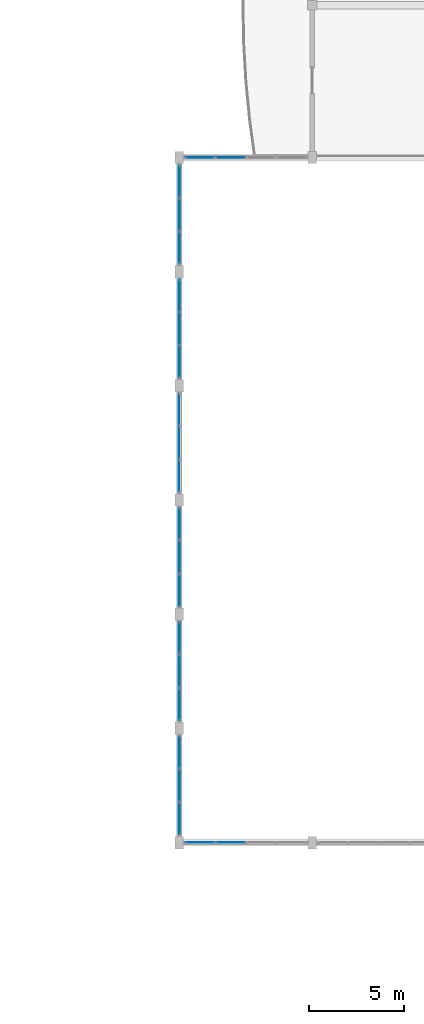
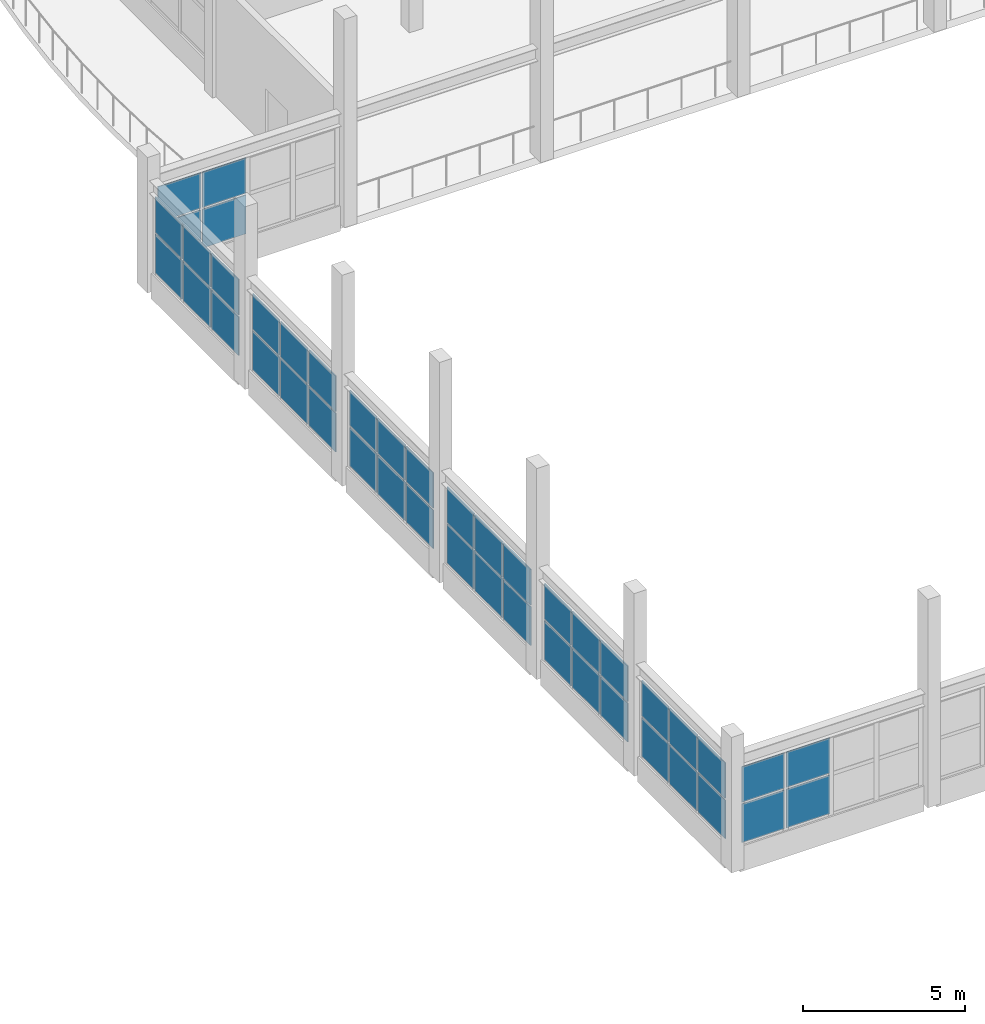
# One storey, part 46 of 89: 44 plates, 8 elements without a shape of their own.
"""IFC4 building model written with IfcOpenShell, lengths in metres."""

from ifc_helpers import new_model, si_unit, direction, frame, origin, origin_2d, place, context, subcontext, project, spatial, rectangle, extrude, material, layer, layer_set, type_object, element, aggregate, save


model = new_model("IFC4")

# Units and contexts
model_context = context("Model", 3, precision=1e-05, world=origin(), true_north=direction((0.0, 1.0)))
body_context = subcontext(model_context, "Body", "Model", "MODEL_VIEW")
ifc_project = project(units=[si_unit("LENGTHUNIT", "METRE"), si_unit("AREAUNIT", "SQUARE_METRE"), si_unit("VOLUMEUNIT", "CUBIC_METRE"), si_unit("PLANEANGLEUNIT", "RADIAN"), si_unit("MASSUNIT", "GRAM", prefix="KILO")], contexts=[model_context])

# Site, building, storey
site_placement = place(None, origin())
site = spatial("IfcSite", under=ifc_project, at=site_placement, CompositionType="ELEMENT")
building_placement = place(site_placement, origin())
building = spatial("IfcBuilding", under=site, at=building_placement, Name="Tonlespit Floodbar School", CompositionType="ELEMENT")
storey_placement = place(building_placement, frame((0.0, 0.0, 4.5)))
storey = spatial("IfcBuildingStorey", under=building, at=storey_placement, Name="L01", CompositionType="ELEMENT", Elevation=4.5)

# Curtain wall, plates
ifc_material_1 = material(Name="Anodised Aluminium", Category="aluminium")
ifc_layer_1 = layer(ifc_material_1, 0.159912109375)
ifc_layer_set_1 = layer_set([ifc_layer_1], Name="Anodised Aluminium")
curtain_wall_type_1 = type_object("IfcCurtainWallType", Name="CurtainWall_6450x3000", PredefinedType="NOTDEFINED", material=ifc_layer_set_1)
curtain_wall_1_placement = place(storey_placement, origin())
curtain_wall_1 = element("IfcCurtainWall", 1, at=curtain_wall_1_placement, inside=storey, type_object=curtain_wall_type_1, Name="L01 unitised curtain wall 0317", PredefinedType="NOTDEFINED")
ifc_material_2 = material(Name="Laminated Low-E Glass", Category="glass")
ifc_layer_2 = layer(ifc_material_2, 0.028076171875)
ifc_layer_set_2 = layer_set([ifc_layer_2], Name="Laminated Low-E Glass")
plate_type_1 = type_object("IfcPlateType", Name="CW_Panel_Glaz_28", PredefinedType="CURTAIN_PANEL", material=ifc_layer_set_2)
plate_1_placement = place(storey_placement, frame((129.691162109375, 20.0, 0.7548828125), z_axis=(0.0, 0.0, 1.0), x_axis=(-1.0, 0.0, 0.0)))
plate_1 = element("IfcPlate", 2, at=plate_1_placement, type_object=plate_type_1, Name="CW-49 panel 3.1", PredefinedType="CURTAIN_PANEL", context=body_context, shape_type="SweptSolid", body=[
    extrude(rectangle(XDim=1.552490234375, YDim=0.028076171875, at=origin_2d()), origin(), (0.0, 0.0, 1.0), 1.457275390625),
])
plate_2_placement = place(storey_placement, frame((129.691162109375, 20.0, 2.27734375), z_axis=(0.0, 0.0, 1.0), x_axis=(-1.0, 0.0, 0.0)))
plate_2 = element("IfcPlate", 3, at=plate_2_placement, type_object=plate_type_1, Name="CW-49 panel 3.2", PredefinedType="CURTAIN_PANEL", context=body_context, shape_type="SweptSolid", body=[
    extrude(rectangle(XDim=1.552490234375, YDim=0.028076171875, at=origin_2d()), origin(), (0.0, 0.0, 1.0), 1.337646484375),
])
plate_3_placement = place(storey_placement, frame((128.090087890625, 20.0, 0.7548828125), z_axis=(0.0, 0.0, 1.0), x_axis=(-1.0, 0.0, 0.0)))
plate_3 = element("IfcPlate", 4, at=plate_3_placement, type_object=plate_type_1, Name="CW-49 panel 4.1", PredefinedType="CURTAIN_PANEL", context=body_context, shape_type="SweptSolid", body=[
    extrude(rectangle(XDim=1.52001953125, YDim=0.028076171875, at=origin_2d()), origin(), (0.0, 0.0, 1.0), 1.457275390625),
])
plate_4_placement = place(storey_placement, frame((128.090087890625, 20.0, 2.27734375), z_axis=(0.0, 0.0, 1.0), x_axis=(-1.0, 0.0, 0.0)))
plate_4 = element("IfcPlate", 5, at=plate_4_placement, type_object=plate_type_1, Name="CW-49 panel 4.2", PredefinedType="CURTAIN_PANEL", context=body_context, shape_type="SweptSolid", body=[
    extrude(rectangle(XDim=1.52001953125, YDim=0.028076171875, at=origin_2d()), origin(), (0.0, 0.0, 1.0), 1.337646484375),
])
aggregate(curtain_wall_1, [plate_1, plate_2, plate_3, plate_4])

ifc_layer_3 = layer(ifc_material_1, 0.159912109375)
ifc_layer_set_3 = layer_set([ifc_layer_3], Name="Anodised Aluminium")
curtain_wall_type_2 = type_object("IfcCurtainWallType", Name="CurtainWall_5250x3000", PredefinedType="NOTDEFINED", material=ifc_layer_set_3)
curtain_wall_2_placement = place(storey_placement, origin())
curtain_wall_2 = element("IfcCurtainWall", 6, at=curtain_wall_2_placement, inside=storey, type_object=curtain_wall_type_2, Name="L01 unitised curtain wall 0321", PredefinedType="NOTDEFINED")
plate_5_placement = place(storey_placement, frame((127.0, 39.259521484375, 0.7548828125), z_axis=(0.0, 0.0, 1.0), x_axis=(0.0, 1.0, 0.0)))
plate_5 = element("IfcPlate", 7, at=plate_5_placement, type_object=plate_type_1, Name="CW-50 panel 1.1", PredefinedType="CURTAIN_PANEL", context=body_context, shape_type="SweptSolid", body=[
    extrude(rectangle(XDim=1.6591796875, YDim=0.028076171875, at=origin_2d()), origin(), (0.0, 0.0, 1.0), 1.457275390625),
])
plate_6_placement = place(storey_placement, frame((127.0, 39.259521484375, 2.27734375), z_axis=(0.0, 0.0, 1.0), x_axis=(0.0, 1.0, 0.0)))
plate_6 = element("IfcPlate", 8, at=plate_6_placement, type_object=plate_type_1, Name="CW-50 panel 1.2", PredefinedType="CURTAIN_PANEL", context=body_context, shape_type="SweptSolid", body=[
    extrude(rectangle(XDim=1.6591796875, YDim=0.028076171875, at=origin_2d()), origin(), (0.0, 0.0, 1.0), 1.337646484375),
])
plate_7_placement = place(storey_placement, frame((127.0, 41.0, 0.7548828125), z_axis=(0.0, 0.0, 1.0), x_axis=(0.0, 1.0, 0.0)))
plate_7 = element("IfcPlate", 9, at=plate_7_placement, type_object=plate_type_1, Name="CW-50 panel 2.1", PredefinedType="CURTAIN_PANEL", context=body_context, shape_type="SweptSolid", body=[
    extrude(rectangle(XDim=1.691650390625, YDim=0.028076171875, at=origin_2d()), origin(), (0.0, 0.0, 1.0), 1.457275390625),
])
plate_8_placement = place(storey_placement, frame((127.0, 41.0, 2.27734375), z_axis=(0.0, 0.0, 1.0), x_axis=(0.0, 1.0, 0.0)))
plate_8 = element("IfcPlate", 10, at=plate_8_placement, type_object=plate_type_1, Name="CW-50 panel 2.2", PredefinedType="CURTAIN_PANEL", context=body_context, shape_type="SweptSolid", body=[
    extrude(rectangle(XDim=1.691650390625, YDim=0.028076171875, at=origin_2d()), origin(), (0.0, 0.0, 1.0), 1.337646484375),
])
plate_9_placement = place(storey_placement, frame((127.0, 42.740478515625, 0.7548828125), z_axis=(0.0, 0.0, 1.0), x_axis=(0.0, 1.0, 0.0)))
plate_9 = element("IfcPlate", 11, at=plate_9_placement, type_object=plate_type_1, Name="CW-50 panel 3.1", PredefinedType="CURTAIN_PANEL", context=body_context, shape_type="SweptSolid", body=[
    extrude(rectangle(XDim=1.6591796875, YDim=0.028076171875, at=origin_2d()), origin(), (0.0, 0.0, 1.0), 1.457275390625),
])
plate_10_placement = place(storey_placement, frame((127.0, 42.740478515625, 2.27734375), z_axis=(0.0, 0.0, 1.0), x_axis=(0.0, 1.0, 0.0)))
plate_10 = element("IfcPlate", 12, at=plate_10_placement, type_object=plate_type_1, Name="CW-50 panel 3.2", PredefinedType="CURTAIN_PANEL", context=body_context, shape_type="SweptSolid", body=[
    extrude(rectangle(XDim=1.6591796875, YDim=0.028076171875, at=origin_2d()), origin(), (0.0, 0.0, 1.0), 1.337646484375),
])
aggregate(curtain_wall_2, [plate_5, plate_6, plate_7, plate_8, plate_9, plate_10])

curtain_wall_3_placement = place(storey_placement, origin())
curtain_wall_3 = element("IfcCurtainWall", 13, at=curtain_wall_3_placement, inside=storey, type_object=curtain_wall_type_2, Name="L01 unitised curtain wall 0318", PredefinedType="NOTDEFINED")
ifc_layer_4 = layer(ifc_material_2, 0.031982421875)
ifc_layer_set_4 = layer_set([ifc_layer_4], Name="Laminated Low-E Glass")
plate_type_2 = type_object("IfcPlateType", Name="CW_Panel_Glaz_32", PredefinedType="CURTAIN_PANEL", material=ifc_layer_set_4)
plate_11_placement = place(storey_placement, frame((127.0, 21.259521484375, 0.7548828125), z_axis=(0.0, 0.0, 1.0), x_axis=(0.0, 1.0, 0.0)))
plate_11 = element("IfcPlate", 14, at=plate_11_placement, type_object=plate_type_2, Name="CW-50 panel 1.1", PredefinedType="CURTAIN_PANEL", context=body_context, shape_type="SweptSolid", body=[
    extrude(rectangle(XDim=1.6591796875, YDim=0.031982421875, at=origin_2d()), origin(), (0.0, 0.0, 1.0), 1.457275390625),
])
plate_12_placement = place(storey_placement, frame((127.0, 21.259521484375, 2.27734375), z_axis=(0.0, 0.0, 1.0), x_axis=(0.0, 1.0, 0.0)))
plate_12 = element("IfcPlate", 15, at=plate_12_placement, type_object=plate_type_2, Name="CW-50 panel 1.2", PredefinedType="CURTAIN_PANEL", context=body_context, shape_type="SweptSolid", body=[
    extrude(rectangle(XDim=1.6591796875, YDim=0.031982421875, at=origin_2d()), origin(), (0.0, 0.0, 1.0), 1.337646484375),
])
plate_13_placement = place(storey_placement, frame((127.0, 23.0, 0.7548828125), z_axis=(0.0, 0.0, 1.0), x_axis=(0.0, 1.0, 0.0)))
plate_13 = element("IfcPlate", 16, at=plate_13_placement, type_object=plate_type_2, Name="CW-50 panel 2.1", PredefinedType="CURTAIN_PANEL", context=body_context, shape_type="SweptSolid", body=[
    extrude(rectangle(XDim=1.691650390625, YDim=0.031982421875, at=origin_2d()), origin(), (0.0, 0.0, 1.0), 1.457275390625),
])
plate_14_placement = place(storey_placement, frame((127.0, 23.0, 2.27734375), z_axis=(0.0, 0.0, 1.0), x_axis=(0.0, 1.0, 0.0)))
plate_14 = element("IfcPlate", 17, at=plate_14_placement, type_object=plate_type_2, Name="CW-50 panel 2.2", PredefinedType="CURTAIN_PANEL", context=body_context, shape_type="SweptSolid", body=[
    extrude(rectangle(XDim=1.691650390625, YDim=0.031982421875, at=origin_2d()), origin(), (0.0, 0.0, 1.0), 1.337646484375),
])
plate_15_placement = place(storey_placement, frame((127.0, 24.740478515625, 0.7548828125), z_axis=(0.0, 0.0, 1.0), x_axis=(0.0, 1.0, 0.0)))
plate_15 = element("IfcPlate", 18, at=plate_15_placement, type_object=plate_type_2, Name="CW-50 panel 3.1", PredefinedType="CURTAIN_PANEL", context=body_context, shape_type="SweptSolid", body=[
    extrude(rectangle(XDim=1.6591796875, YDim=0.031982421875, at=origin_2d()), origin(), (0.0, 0.0, 1.0), 1.457275390625),
])
plate_16_placement = place(storey_placement, frame((127.0, 24.740478515625, 2.27734375), z_axis=(0.0, 0.0, 1.0), x_axis=(0.0, 1.0, 0.0)))
plate_16 = element("IfcPlate", 19, at=plate_16_placement, type_object=plate_type_2, Name="CW-50 panel 3.2", PredefinedType="CURTAIN_PANEL", context=body_context, shape_type="SweptSolid", body=[
    extrude(rectangle(XDim=1.6591796875, YDim=0.031982421875, at=origin_2d()), origin(), (0.0, 0.0, 1.0), 1.337646484375),
])
aggregate(curtain_wall_3, [plate_11, plate_12, plate_13, plate_14, plate_15, plate_16])

curtain_wall_4_placement = place(storey_placement, origin())
curtain_wall_4 = element("IfcCurtainWall", 20, at=curtain_wall_4_placement, inside=storey, type_object=curtain_wall_type_2, Name="L01 unitised curtain wall 0322", PredefinedType="NOTDEFINED")
plate_17_placement = place(storey_placement, frame((127.0, 45.259521484375, 0.7548828125), z_axis=(0.0, 0.0, 1.0), x_axis=(0.0, 1.0, 0.0)))
plate_17 = element("IfcPlate", 21, at=plate_17_placement, type_object=plate_type_2, Name="CW-50 panel 1.1", PredefinedType="CURTAIN_PANEL", context=body_context, shape_type="SweptSolid", body=[
    extrude(rectangle(XDim=1.6591796875, YDim=0.031982421875, at=origin_2d()), origin(), (0.0, 0.0, 1.0), 1.457275390625),
])
plate_18_placement = place(storey_placement, frame((127.0, 45.259521484375, 2.27734375), z_axis=(0.0, 0.0, 1.0), x_axis=(0.0, 1.0, 0.0)))
plate_18 = element("IfcPlate", 22, at=plate_18_placement, type_object=plate_type_2, Name="CW-50 panel 1.2", PredefinedType="CURTAIN_PANEL", context=body_context, shape_type="SweptSolid", body=[
    extrude(rectangle(XDim=1.6591796875, YDim=0.031982421875, at=origin_2d()), origin(), (0.0, 0.0, 1.0), 1.337646484375),
])
plate_19_placement = place(storey_placement, frame((127.0, 47.0, 0.7548828125), z_axis=(0.0, 0.0, 1.0), x_axis=(0.0, 1.0, 0.0)))
plate_19 = element("IfcPlate", 23, at=plate_19_placement, type_object=plate_type_2, Name="CW-50 panel 2.1", PredefinedType="CURTAIN_PANEL", context=body_context, shape_type="SweptSolid", body=[
    extrude(rectangle(XDim=1.691650390625, YDim=0.031982421875, at=origin_2d()), origin(), (0.0, 0.0, 1.0), 1.457275390625),
])
plate_20_placement = place(storey_placement, frame((127.0, 47.0, 2.27734375), z_axis=(0.0, 0.0, 1.0), x_axis=(0.0, 1.0, 0.0)))
plate_20 = element("IfcPlate", 24, at=plate_20_placement, type_object=plate_type_2, Name="CW-50 panel 2.2", PredefinedType="CURTAIN_PANEL", context=body_context, shape_type="SweptSolid", body=[
    extrude(rectangle(XDim=1.691650390625, YDim=0.031982421875, at=origin_2d()), origin(), (0.0, 0.0, 1.0), 1.337646484375),
])
plate_21_placement = place(storey_placement, frame((127.0, 48.740478515625, 0.7548828125), z_axis=(0.0, 0.0, 1.0), x_axis=(0.0, 1.0, 0.0)))
plate_21 = element("IfcPlate", 25, at=plate_21_placement, type_object=plate_type_2, Name="CW-50 panel 3.1", PredefinedType="CURTAIN_PANEL", context=body_context, shape_type="SweptSolid", body=[
    extrude(rectangle(XDim=1.6591796875, YDim=0.031982421875, at=origin_2d()), origin(), (0.0, 0.0, 1.0), 1.457275390625),
])
plate_22_placement = place(storey_placement, frame((127.0, 48.740478515625, 2.27734375), z_axis=(0.0, 0.0, 1.0), x_axis=(0.0, 1.0, 0.0)))
plate_22 = element("IfcPlate", 26, at=plate_22_placement, type_object=plate_type_2, Name="CW-50 panel 3.2", PredefinedType="CURTAIN_PANEL", context=body_context, shape_type="SweptSolid", body=[
    extrude(rectangle(XDim=1.6591796875, YDim=0.031982421875, at=origin_2d()), origin(), (0.0, 0.0, 1.0), 1.337646484375),
])
aggregate(curtain_wall_4, [plate_17, plate_18, plate_19, plate_20, plate_21, plate_22])

curtain_wall_5_placement = place(storey_placement, origin())
curtain_wall_5 = element("IfcCurtainWall", 27, at=curtain_wall_5_placement, inside=storey, type_object=curtain_wall_type_2, Name="L01 unitised curtain wall 0319", PredefinedType="NOTDEFINED")
ifc_layer_5 = layer(ifc_material_2, 0.035888671875)
ifc_layer_set_5 = layer_set([ifc_layer_5], Name="Laminated Low-E Glass")
plate_type_3 = type_object("IfcPlateType", Name="CW_Panel_Glaz_36", PredefinedType="CURTAIN_PANEL", material=ifc_layer_set_5)
plate_23_placement = place(storey_placement, frame((127.0, 27.259521484375, 0.7548828125), z_axis=(0.0, 0.0, 1.0), x_axis=(0.0, 1.0, 0.0)))
plate_23 = element("IfcPlate", 28, at=plate_23_placement, type_object=plate_type_3, Name="CW-50 panel 1.1", PredefinedType="CURTAIN_PANEL", context=body_context, shape_type="SweptSolid", body=[
    extrude(rectangle(XDim=1.6591796875, YDim=0.035888671875, at=origin_2d()), origin(), (0.0, 0.0, 1.0), 1.457275390625),
])
plate_24_placement = place(storey_placement, frame((127.0, 27.259521484375, 2.27734375), z_axis=(0.0, 0.0, 1.0), x_axis=(0.0, 1.0, 0.0)))
plate_24 = element("IfcPlate", 29, at=plate_24_placement, type_object=plate_type_3, Name="CW-50 panel 1.2", PredefinedType="CURTAIN_PANEL", context=body_context, shape_type="SweptSolid", body=[
    extrude(rectangle(XDim=1.6591796875, YDim=0.035888671875, at=origin_2d()), origin(), (0.0, 0.0, 1.0), 1.337646484375),
])
plate_25_placement = place(storey_placement, frame((127.0, 29.0, 0.7548828125), z_axis=(0.0, 0.0, 1.0), x_axis=(0.0, 1.0, 0.0)))
plate_25 = element("IfcPlate", 30, at=plate_25_placement, type_object=plate_type_3, Name="CW-50 panel 2.1", PredefinedType="CURTAIN_PANEL", context=body_context, shape_type="SweptSolid", body=[
    extrude(rectangle(XDim=1.691650390625, YDim=0.035888671875, at=origin_2d()), origin(), (0.0, 0.0, 1.0), 1.457275390625),
])
plate_26_placement = place(storey_placement, frame((127.0, 29.0, 2.27734375), z_axis=(0.0, 0.0, 1.0), x_axis=(0.0, 1.0, 0.0)))
plate_26 = element("IfcPlate", 31, at=plate_26_placement, type_object=plate_type_3, Name="CW-50 panel 2.2", PredefinedType="CURTAIN_PANEL", context=body_context, shape_type="SweptSolid", body=[
    extrude(rectangle(XDim=1.691650390625, YDim=0.035888671875, at=origin_2d()), origin(), (0.0, 0.0, 1.0), 1.337646484375),
])
plate_27_placement = place(storey_placement, frame((127.0, 30.740478515625, 0.7548828125), z_axis=(0.0, 0.0, 1.0), x_axis=(0.0, 1.0, 0.0)))
plate_27 = element("IfcPlate", 32, at=plate_27_placement, type_object=plate_type_3, Name="CW-50 panel 3.1", PredefinedType="CURTAIN_PANEL", context=body_context, shape_type="SweptSolid", body=[
    extrude(rectangle(XDim=1.6591796875, YDim=0.035888671875, at=origin_2d()), origin(), (0.0, 0.0, 1.0), 1.457275390625),
])
plate_28_placement = place(storey_placement, frame((127.0, 30.740478515625, 2.27734375), z_axis=(0.0, 0.0, 1.0), x_axis=(0.0, 1.0, 0.0)))
plate_28 = element("IfcPlate", 33, at=plate_28_placement, type_object=plate_type_3, Name="CW-50 panel 3.2", PredefinedType="CURTAIN_PANEL", context=body_context, shape_type="SweptSolid", body=[
    extrude(rectangle(XDim=1.6591796875, YDim=0.035888671875, at=origin_2d()), origin(), (0.0, 0.0, 1.0), 1.337646484375),
])
aggregate(curtain_wall_5, [plate_23, plate_24, plate_25, plate_26, plate_27, plate_28])

curtain_wall_6_placement = place(storey_placement, origin())
curtain_wall_6 = element("IfcCurtainWall", 34, at=curtain_wall_6_placement, inside=storey, type_object=curtain_wall_type_2, Name="L01 unitised curtain wall 0323", PredefinedType="NOTDEFINED")
plate_29_placement = place(storey_placement, frame((127.0, 51.259521484375, 0.7548828125), z_axis=(0.0, 0.0, 1.0), x_axis=(0.0, 1.0, 0.0)))
plate_29 = element("IfcPlate", 35, at=plate_29_placement, type_object=plate_type_3, Name="CW-50 panel 1.1", PredefinedType="CURTAIN_PANEL", context=body_context, shape_type="SweptSolid", body=[
    extrude(rectangle(XDim=1.6591796875, YDim=0.035888671875, at=origin_2d()), origin(), (0.0, 0.0, 1.0), 1.457275390625),
])
plate_30_placement = place(storey_placement, frame((127.0, 51.259521484375, 2.27734375), z_axis=(0.0, 0.0, 1.0), x_axis=(0.0, 1.0, 0.0)))
plate_30 = element("IfcPlate", 36, at=plate_30_placement, type_object=plate_type_3, Name="CW-50 panel 1.2", PredefinedType="CURTAIN_PANEL", context=body_context, shape_type="SweptSolid", body=[
    extrude(rectangle(XDim=1.6591796875, YDim=0.035888671875, at=origin_2d()), origin(), (0.0, 0.0, 1.0), 1.337646484375),
])
plate_31_placement = place(storey_placement, frame((127.0, 53.0, 0.7548828125), z_axis=(0.0, 0.0, 1.0), x_axis=(0.0, 1.0, 0.0)))
plate_31 = element("IfcPlate", 37, at=plate_31_placement, type_object=plate_type_3, Name="CW-50 panel 2.1", PredefinedType="CURTAIN_PANEL", context=body_context, shape_type="SweptSolid", body=[
    extrude(rectangle(XDim=1.691650390625, YDim=0.035888671875, at=origin_2d()), origin(), (0.0, 0.0, 1.0), 1.457275390625),
])
plate_32_placement = place(storey_placement, frame((127.0, 53.0, 2.27734375), z_axis=(0.0, 0.0, 1.0), x_axis=(0.0, 1.0, 0.0)))
plate_32 = element("IfcPlate", 38, at=plate_32_placement, type_object=plate_type_3, Name="CW-50 panel 2.2", PredefinedType="CURTAIN_PANEL", context=body_context, shape_type="SweptSolid", body=[
    extrude(rectangle(XDim=1.691650390625, YDim=0.035888671875, at=origin_2d()), origin(), (0.0, 0.0, 1.0), 1.337646484375),
])
plate_33_placement = place(storey_placement, frame((127.0, 54.740478515625, 0.7548828125), z_axis=(0.0, 0.0, 1.0), x_axis=(0.0, 1.0, 0.0)))
plate_33 = element("IfcPlate", 39, at=plate_33_placement, type_object=plate_type_3, Name="CW-50 panel 3.1", PredefinedType="CURTAIN_PANEL", context=body_context, shape_type="SweptSolid", body=[
    extrude(rectangle(XDim=1.6591796875, YDim=0.035888671875, at=origin_2d()), origin(), (0.0, 0.0, 1.0), 1.457275390625),
])
plate_34_placement = place(storey_placement, frame((127.0, 54.740478515625, 2.27734375), z_axis=(0.0, 0.0, 1.0), x_axis=(0.0, 1.0, 0.0)))
plate_34 = element("IfcPlate", 40, at=plate_34_placement, type_object=plate_type_3, Name="CW-50 panel 3.2", PredefinedType="CURTAIN_PANEL", context=body_context, shape_type="SweptSolid", body=[
    extrude(rectangle(XDim=1.6591796875, YDim=0.035888671875, at=origin_2d()), origin(), (0.0, 0.0, 1.0), 1.337646484375),
])
aggregate(curtain_wall_6, [plate_29, plate_30, plate_31, plate_32, plate_33, plate_34])

curtain_wall_7_placement = place(storey_placement, origin())
curtain_wall_7 = element("IfcCurtainWall", 41, at=curtain_wall_7_placement, inside=storey, type_object=curtain_wall_type_1, Name="L01 unitised curtain wall 0331", PredefinedType="NOTDEFINED")
plate_35_placement = place(storey_placement, frame((128.090087890625, 56.0, 0.7548828125), z_axis=(0.0, 0.0, 1.0), x_axis=(1.0, 0.0, 0.0)))
plate_35 = element("IfcPlate", 42, at=plate_35_placement, type_object=plate_type_3, Name="CW-49 panel 1.1", PredefinedType="CURTAIN_PANEL", context=body_context, shape_type="SweptSolid", body=[
    extrude(rectangle(XDim=1.52001953125, YDim=0.035888671875, at=origin_2d()), origin(), (0.0, 0.0, 1.0), 1.457275390625),
])
plate_36_placement = place(storey_placement, frame((128.090087890625, 56.0, 2.27734375), z_axis=(0.0, 0.0, 1.0), x_axis=(1.0, 0.0, 0.0)))
plate_36 = element("IfcPlate", 43, at=plate_36_placement, type_object=plate_type_3, Name="CW-49 panel 1.2", PredefinedType="CURTAIN_PANEL", context=body_context, shape_type="SweptSolid", body=[
    extrude(rectangle(XDim=1.52001953125, YDim=0.035888671875, at=origin_2d()), origin(), (0.0, 0.0, 1.0), 1.337646484375),
])
plate_37_placement = place(storey_placement, frame((129.691162109375, 56.0, 0.7548828125), z_axis=(0.0, 0.0, 1.0), x_axis=(1.0, 0.0, 0.0)))
plate_37 = element("IfcPlate", 44, at=plate_37_placement, type_object=plate_type_3, Name="CW-49 panel 2.1", PredefinedType="CURTAIN_PANEL", context=body_context, shape_type="SweptSolid", body=[
    extrude(rectangle(XDim=1.552490234375, YDim=0.035888671875, at=origin_2d()), origin(), (0.0, 0.0, 1.0), 1.457275390625),
])
plate_38_placement = place(storey_placement, frame((129.691162109375, 56.0, 2.27734375), z_axis=(0.0, 0.0, 1.0), x_axis=(1.0, 0.0, 0.0)))
plate_38 = element("IfcPlate", 45, at=plate_38_placement, type_object=plate_type_3, Name="CW-49 panel 2.2", PredefinedType="CURTAIN_PANEL", context=body_context, shape_type="SweptSolid", body=[
    extrude(rectangle(XDim=1.552490234375, YDim=0.035888671875, at=origin_2d()), origin(), (0.0, 0.0, 1.0), 1.337646484375),
])
aggregate(curtain_wall_7, [plate_35, plate_36, plate_37, plate_38])

curtain_wall_8_placement = place(storey_placement, origin())
curtain_wall_8 = element("IfcCurtainWall", 46, at=curtain_wall_8_placement, inside=storey, type_object=curtain_wall_type_2, Name="L01 unitised curtain wall 0320", PredefinedType="NOTDEFINED")
ifc_layer_6 = layer(ifc_material_2, 0.0419921875)
ifc_layer_set_6 = layer_set([ifc_layer_6], Name="Laminated Low-E Glass")
plate_type_4 = type_object("IfcPlateType", Name="CW_Panel_Glaz_42", PredefinedType="CURTAIN_PANEL", material=ifc_layer_set_6)
plate_39_placement = place(storey_placement, frame((127.0, 33.259521484375, 0.7548828125), z_axis=(0.0, 0.0, 1.0), x_axis=(0.0, 1.0, 0.0)))
plate_39 = element("IfcPlate", 47, at=plate_39_placement, type_object=plate_type_4, Name="CW-50 panel 1.1", PredefinedType="CURTAIN_PANEL", context=body_context, shape_type="SweptSolid", body=[
    extrude(rectangle(XDim=1.6591796875, YDim=0.0419921875, at=origin_2d()), origin(), (0.0, 0.0, 1.0), 1.457275390625),
])
plate_40_placement = place(storey_placement, frame((127.0, 33.259521484375, 2.27734375), z_axis=(0.0, 0.0, 1.0), x_axis=(0.0, 1.0, 0.0)))
plate_40 = element("IfcPlate", 48, at=plate_40_placement, type_object=plate_type_4, Name="CW-50 panel 1.2", PredefinedType="CURTAIN_PANEL", context=body_context, shape_type="SweptSolid", body=[
    extrude(rectangle(XDim=1.6591796875, YDim=0.0419921875, at=origin_2d()), origin(), (0.0, 0.0, 1.0), 1.337646484375),
])
plate_41_placement = place(storey_placement, frame((127.0, 35.0, 0.7548828125), z_axis=(0.0, 0.0, 1.0), x_axis=(0.0, 1.0, 0.0)))
plate_41 = element("IfcPlate", 49, at=plate_41_placement, type_object=plate_type_4, Name="CW-50 panel 2.1", PredefinedType="CURTAIN_PANEL", context=body_context, shape_type="SweptSolid", body=[
    extrude(rectangle(XDim=1.691650390625, YDim=0.0419921875, at=origin_2d()), origin(), (0.0, 0.0, 1.0), 1.457275390625),
])
plate_42_placement = place(storey_placement, frame((127.0, 35.0, 2.27734375), z_axis=(0.0, 0.0, 1.0), x_axis=(0.0, 1.0, 0.0)))
plate_42 = element("IfcPlate", 50, at=plate_42_placement, type_object=plate_type_4, Name="CW-50 panel 2.2", PredefinedType="CURTAIN_PANEL", context=body_context, shape_type="SweptSolid", body=[
    extrude(rectangle(XDim=1.691650390625, YDim=0.0419921875, at=origin_2d()), origin(), (0.0, 0.0, 1.0), 1.337646484375),
])
plate_43_placement = place(storey_placement, frame((127.0, 36.740478515625, 0.7548828125), z_axis=(0.0, 0.0, 1.0), x_axis=(0.0, 1.0, 0.0)))
plate_43 = element("IfcPlate", 51, at=plate_43_placement, type_object=plate_type_4, Name="CW-50 panel 3.1", PredefinedType="CURTAIN_PANEL", context=body_context, shape_type="SweptSolid", body=[
    extrude(rectangle(XDim=1.6591796875, YDim=0.0419921875, at=origin_2d()), origin(), (0.0, 0.0, 1.0), 1.457275390625),
])
plate_44_placement = place(storey_placement, frame((127.0, 36.740478515625, 2.27734375), z_axis=(0.0, 0.0, 1.0), x_axis=(0.0, 1.0, 0.0)))
plate_44 = element("IfcPlate", 52, at=plate_44_placement, type_object=plate_type_4, Name="CW-50 panel 3.2", PredefinedType="CURTAIN_PANEL", context=body_context, shape_type="SweptSolid", body=[
    extrude(rectangle(XDim=1.6591796875, YDim=0.0419921875, at=origin_2d()), origin(), (0.0, 0.0, 1.0), 1.337646484375),
])
aggregate(curtain_wall_8, [plate_39, plate_40, plate_41, plate_42, plate_43, plate_44])

save(model, "model.ifc")
